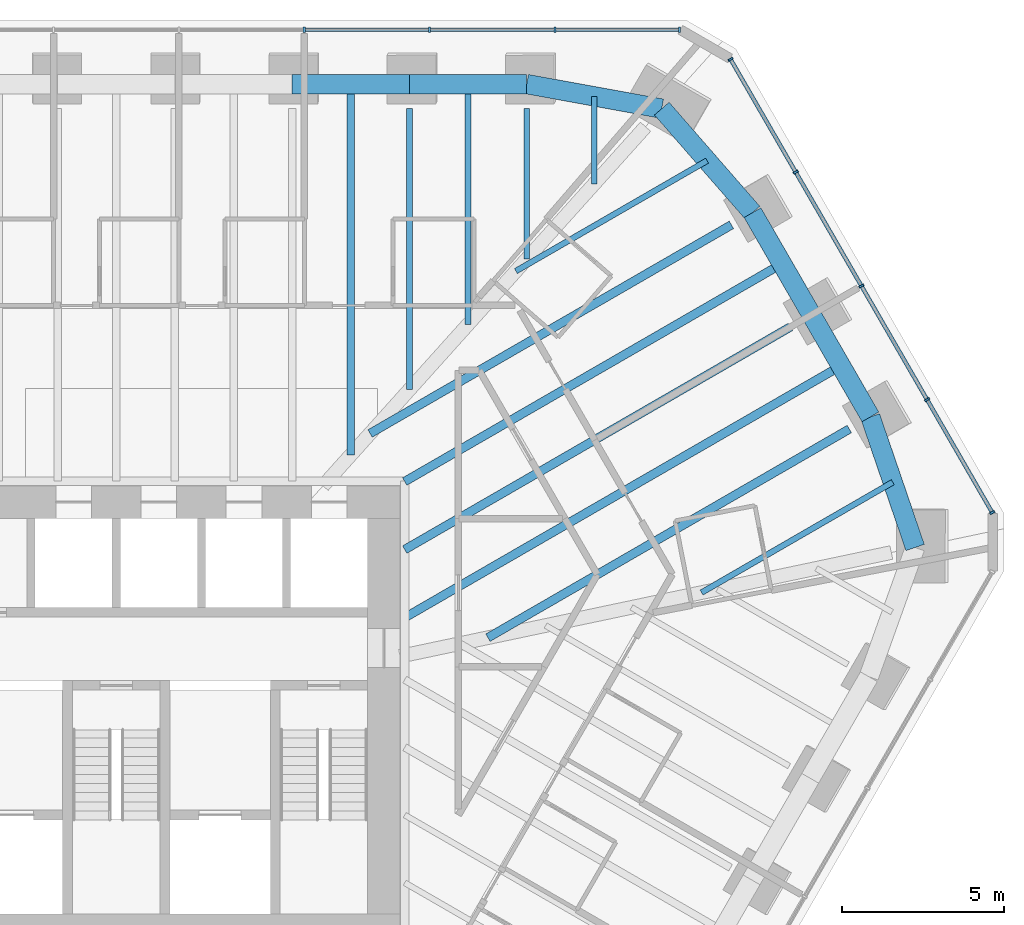
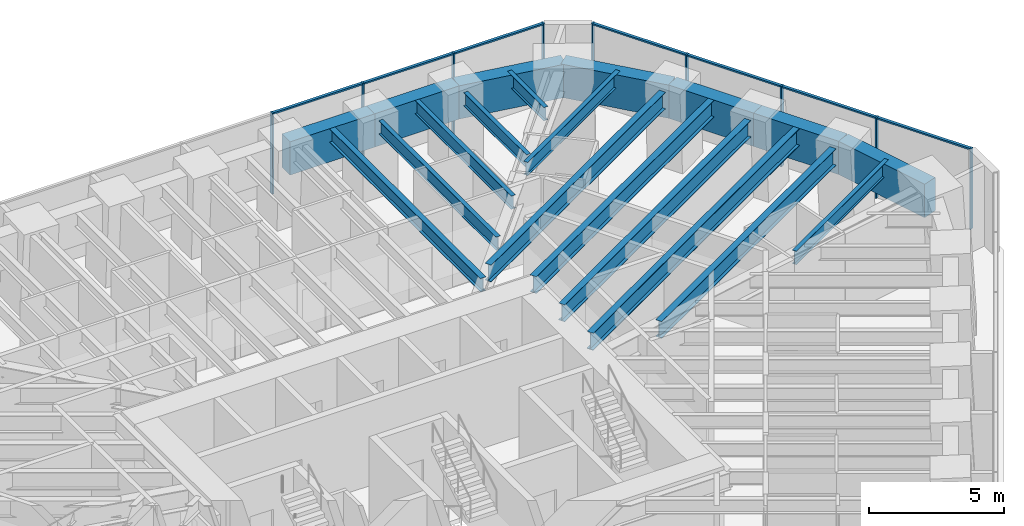
# One storey, part 9 of 17: 19 beams, 16 members, 2 elements without a shape of their own.
"""IFC4 building model written with IfcOpenShell, lengths in metres."""

from ifc_helpers import new_model, si_unit, direction, frame, origin, origin_2d, place, context, subcontext, project, spatial, rectangle, i_section, extrude, material, material_profile, profile_set, type_object, element, aggregate, save


model = new_model("IFC4")

# Units and contexts
model_context = context("Model", 3, precision=1e-05, world=origin(), true_north=direction((0.0, 1.0)))
body_context = subcontext(model_context, "Body", "Model", "MODEL_VIEW")
ifc_project = project(units=[si_unit("LENGTHUNIT", "METRE"), si_unit("AREAUNIT", "SQUARE_METRE"), si_unit("VOLUMEUNIT", "CUBIC_METRE"), si_unit("PLANEANGLEUNIT", "RADIAN"), si_unit("MASSUNIT", "GRAM", prefix="KILO")], contexts=[model_context])

# Site, building, storey
site_placement = place(None, origin())
site = spatial("IfcSite", under=ifc_project, at=site_placement, CompositionType="ELEMENT")
building_placement = place(site_placement, origin())
building = spatial("IfcBuilding", under=site, at=building_placement, Name="Sandreach Pilgrim Tower", CompositionType="ELEMENT")
storey_placement = place(building_placement, frame((0.0, 0.0, 236.39990234375)))
storey = spatial("IfcBuildingStorey", under=building, at=storey_placement, Name="L59", CompositionType="ELEMENT", Elevation=236.39990234375)

# Curtain wall, members
ifc_material_1 = material(Name="Aluminium framed curtain wall", Category="aluminium")
curtain_wall_type = type_object("IfcCurtainWallType", Name="Upper hotel tower curtain wall", PredefinedType="NOTDEFINED", material=ifc_material_1)
curtain_wall_1_placement = place(storey_placement, origin())
curtain_wall_1 = element("IfcCurtainWall", 1, at=curtain_wall_1_placement, inside=storey, type_object=curtain_wall_type, Name="CW-3 L59 N", PredefinedType="NOTDEFINED")
ifc_material_2 = material(Name="Aluminium extrusion", Category="aluminium")
ifc_material_profile_1 = material_profile(ifc_material_2, rectangle(XDim=0.06494140625, YDim=0.159912109375, at=origin_2d()), Name="CW-3M 65X160")
ifc_profile_set_1 = profile_set([ifc_material_profile_1], Name="Aluminium extrusion")
member_type_1 = type_object("IfcMemberType", Name="CW-3 mullion", PredefinedType="MULLION", material=ifc_profile_set_1)
member_1_placement = place(storey_placement, frame((5.796630859375, 21.16015625, 0.0), z_axis=(0.0, 0.0, 1.0), x_axis=(1.0, 0.0, 0.0)))
member_1 = element("IfcMember", 2, at=member_1_placement, type_object=member_type_1, Name="CW-3 mullion 7", PredefinedType="MULLION", context=body_context, shape_type="SweptSolid", body=[
    extrude(rectangle(XDim=0.06494140625, YDim=0.159912109375, at=origin_2d()), origin(), (0.0, 0.0, 1.0), 3.64013671875),
])
member_2_placement = place(storey_placement, frame((9.6611328125, 21.16015625, 0.0), z_axis=(0.0, 0.0, 1.0), x_axis=(1.0, 0.0, 0.0)))
member_2 = element("IfcMember", 3, at=member_2_placement, type_object=member_type_1, Name="CW-3 mullion 8", PredefinedType="MULLION", context=body_context, shape_type="SweptSolid", body=[
    extrude(rectangle(XDim=0.06494140625, YDim=0.159912109375, at=origin_2d()), origin(), (0.0, 0.0, 1.0), 3.64013671875),
])
member_3_placement = place(storey_placement, frame((13.525390625, 21.16015625, 0.0), z_axis=(0.0, 0.0, 1.0), x_axis=(1.0, 0.0, 0.0)))
member_3 = element("IfcMember", 4, at=member_3_placement, type_object=member_type_1, Name="CW-3 mullion 9", PredefinedType="MULLION", context=body_context, shape_type="SweptSolid", body=[
    extrude(rectangle(XDim=0.06494140625, YDim=0.159912109375, at=origin_2d()), origin(), (0.0, 0.0, 1.0), 3.64013671875),
])
member_4_placement = place(storey_placement, frame((17.357421875, 21.16015625, 0.0), z_axis=(0.0, 0.0, 1.0), x_axis=(1.0, 0.0, 0.0)))
member_4 = element("IfcMember", 5, at=member_4_placement, type_object=member_type_1, Name="CW-3 mullion 10", PredefinedType="MULLION", context=body_context, shape_type="SweptSolid", body=[
    extrude(rectangle(XDim=0.06494140625, YDim=0.159912109375, at=origin_2d()), origin(), (0.0, 0.0, 1.0), 3.64013671875),
])

curtain_wall_2_placement = place(storey_placement, origin())
curtain_wall_2 = element("IfcCurtainWall", 6, at=curtain_wall_2_placement, inside=storey, type_object=curtain_wall_type, Name="CW-3 L59 NE", PredefinedType="NOTDEFINED")
member_5_placement = place(storey_placement, frame((18.93896484375, 20.2470703125, 0.0), z_axis=(0.0, 0.0, 1.0), x_axis=(0.5, -0.866025403784, 0.0)))
member_5 = element("IfcMember", 7, at=member_5_placement, type_object=member_type_1, Name="CW-3 mullion 1", PredefinedType="MULLION", context=body_context, shape_type="SweptSolid", body=[
    extrude(rectangle(XDim=0.06494140625, YDim=0.159912109375, at=origin_2d()), origin(), (0.0, 0.0, 1.0), 3.64013671875),
])
member_6_placement = place(storey_placement, frame((20.947021484375, 16.768798828125, 0.0), z_axis=(0.0, 0.0, 1.0), x_axis=(0.5, -0.866025403784, 0.0)))
member_6 = element("IfcMember", 8, at=member_6_placement, type_object=member_type_1, Name="CW-3 mullion 2", PredefinedType="MULLION", context=body_context, shape_type="SweptSolid", body=[
    extrude(rectangle(XDim=0.06494140625, YDim=0.159912109375, at=origin_2d()), origin(), (0.0, 0.0, 1.0), 3.64013671875),
])
member_7_placement = place(storey_placement, frame((22.971435546875, 13.262451171875, 0.0), z_axis=(0.0, 0.0, 1.0), x_axis=(0.5, -0.866025403784, 0.0)))
member_7 = element("IfcMember", 9, at=member_7_placement, type_object=member_type_1, Name="CW-3 mullion 3", PredefinedType="MULLION", context=body_context, shape_type="SweptSolid", body=[
    extrude(rectangle(XDim=0.06494140625, YDim=0.159912109375, at=origin_2d()), origin(), (0.0, 0.0, 1.0), 3.64013671875),
])
member_8_placement = place(storey_placement, frame((24.995849609375, 9.75634765625, 0.0), z_axis=(0.0, 0.0, 1.0), x_axis=(0.5, -0.866025403784, 0.0)))
member_8 = element("IfcMember", 10, at=member_8_placement, type_object=member_type_1, Name="CW-3 mullion 4", PredefinedType="MULLION", context=body_context, shape_type="SweptSolid", body=[
    extrude(rectangle(XDim=0.06494140625, YDim=0.159912109375, at=origin_2d()), origin(), (0.0, 0.0, 1.0), 3.64013671875),
])
member_9_placement = place(storey_placement, frame((27.00390625, 6.278076171875, 0.0), z_axis=(0.0, 0.0, 1.0), x_axis=(0.5, -0.866025403784, 0.0)))
member_9 = element("IfcMember", 11, at=member_9_placement, type_object=member_type_1, Name="CW-3 mullion 5", PredefinedType="MULLION", context=body_context, shape_type="SweptSolid", body=[
    extrude(rectangle(XDim=0.06494140625, YDim=0.159912109375, at=origin_2d()), origin(), (0.0, 0.0, 1.0), 3.64013671875),
])

# Member
ifc_material_3 = material(Name="Aluminium extrusion", Category="aluminium")
ifc_material_profile_2 = material_profile(ifc_material_3, rectangle(XDim=0.1201171875, YDim=0.070068359375, at=origin_2d()), Name="CW-3T 120X70")
ifc_profile_set_2 = profile_set([ifc_material_profile_2], Name="Aluminium extrusion")
member_type_2 = type_object("IfcMemberType", Name="CW-3 transom", PredefinedType="USERDEFINED", material=ifc_profile_set_2)
member_10_placement = place(storey_placement, frame((5.8291015625, 21.16015625, 3.60498046875), z_axis=(1.0, 0.0, 0.0), x_axis=(0.0, 1.0, 0.0)))
member_10 = element("IfcMember", 12, at=member_10_placement, type_object=member_type_2, Name="CW-3 head transom 7", ObjectType="TRANSOM", PredefinedType="USERDEFINED", context=body_context, shape_type="SweptSolid", body=[
    extrude(rectangle(XDim=0.1201171875, YDim=0.070068359375, at=origin_2d()), origin(), (0.0, 0.0, 1.0), 3.799560546875),
])

member_11_placement = place(storey_placement, frame((9.693603515625, 21.16015625, 3.60498046875), z_axis=(1.0, 0.0, 0.0), x_axis=(0.0, 1.0, 0.0)))
member_11 = element("IfcMember", 13, at=member_11_placement, type_object=member_type_2, Name="CW-3 head transom 8", ObjectType="TRANSOM", PredefinedType="USERDEFINED", context=body_context, shape_type="SweptSolid", body=[
    extrude(rectangle(XDim=0.1201171875, YDim=0.070068359375, at=origin_2d()), origin(), (0.0, 0.0, 1.0), 3.79931640625),
])

member_12_placement = place(storey_placement, frame((13.557861328125, 21.16015625, 3.60498046875), z_axis=(1.0, 0.0, 0.0), x_axis=(0.0, 1.0, 0.0)))
member_12 = element("IfcMember", 14, at=member_12_placement, type_object=member_type_2, Name="CW-3 head transom 9", ObjectType="TRANSOM", PredefinedType="USERDEFINED", context=body_context, shape_type="SweptSolid", body=[
    extrude(rectangle(XDim=0.1201171875, YDim=0.070068359375, at=origin_2d()), origin(), (0.0, 0.0, 1.0), 3.76708984375),
])

aggregate(curtain_wall_1, [member_1, member_2, member_3, member_4, member_10, member_11, member_12])

member_13_placement = place(storey_placement, frame((18.955322265625, 20.21875, 3.60498046875), z_axis=(0.499993448556, -0.866029186229, 0.0), x_axis=(0.866029186229, 0.499993448556, 0.0)))
member_13 = element("IfcMember", 15, at=member_13_placement, type_object=member_type_2, Name="CW-3 head transom 1", ObjectType="TRANSOM", PredefinedType="USERDEFINED", context=body_context, shape_type="SweptSolid", body=[
    extrude(rectangle(XDim=0.1201171875, YDim=0.070068359375, at=origin_2d()), origin(), (0.0, 0.0, 1.0), 3.951171875),
])

member_14_placement = place(storey_placement, frame((20.96337890625, 16.74072265625, 3.60498046875), z_axis=(0.499975332564, -0.866039645067, 0.0), x_axis=(0.866039645067, 0.499975332564, 0.0)))
member_14 = element("IfcMember", 16, at=member_14_placement, type_object=member_type_2, Name="CW-3 head transom 2", ObjectType="TRANSOM", PredefinedType="USERDEFINED", context=body_context, shape_type="SweptSolid", body=[
    extrude(rectangle(XDim=0.1201171875, YDim=0.070068359375, at=origin_2d()), origin(), (0.0, 0.0, 1.0), 3.983642578125),
])

member_15_placement = place(storey_placement, frame((22.98779296875, 13.234375, 3.60498046875), z_axis=(0.499975332564, -0.866039645067, 0.0), x_axis=(0.866039645067, 0.499975332564, 0.0)))
member_15 = element("IfcMember", 17, at=member_15_placement, type_object=member_type_2, Name="CW-3 head transom 3", ObjectType="TRANSOM", PredefinedType="USERDEFINED", context=body_context, shape_type="SweptSolid", body=[
    extrude(rectangle(XDim=0.1201171875, YDim=0.070068359375, at=origin_2d()), origin(), (0.0, 0.0, 1.0), 3.983642578125),
])

member_16_placement = place(storey_placement, frame((25.011962890625, 9.728271484375, 3.60498046875), z_axis=(0.499993448556, -0.866029186229, 0.0), x_axis=(0.866029186229, 0.499993448556, 0.0)))
member_16 = element("IfcMember", 18, at=member_16_placement, type_object=member_type_2, Name="CW-3 head transom 4", ObjectType="TRANSOM", PredefinedType="USERDEFINED", context=body_context, shape_type="SweptSolid", body=[
    extrude(rectangle(XDim=0.1201171875, YDim=0.070068359375, at=origin_2d()), origin(), (0.0, 0.0, 1.0), 3.951171875),
])

aggregate(curtain_wall_2, [member_5, member_6, member_7, member_8, member_9, member_13, member_14, member_15, member_16])

# Beams
ifc_material_4 = material(Name="Steel ASTM A992 Grade 50", Category="steel")
ifc_material_profile_3 = material_profile(ifc_material_4, i_section(OverallWidth=0.1787109375, OverallDepth=0.60205078125, WebThickness=0.010986328125, FlangeThickness=0.014892578125, at=origin_2d()), Name="W24X62")
ifc_profile_set_3 = profile_set([ifc_material_profile_3], Name="Steel ASTM A992 Grade 50")
beam_type_1 = type_object("IfcBeamType", Name="Floor beam W24X62", PredefinedType="BEAM", material=ifc_profile_set_3)
beam_1_placement = place(storey_placement, frame((9.03857421875, 18.734619140625, 3.339111328125), z_axis=(0.0, -1.0, 0.0), x_axis=(1.0, 0.0, 0.0)))
element("IfcBeam", 19, at=beam_1_placement, inside=storey, type_object=beam_type_1, Name="BM L59 F07", PredefinedType="BEAM", context=body_context, shape_type="SweptSolid", body=[
    extrude(i_section(OverallWidth=0.1787109375, OverallDepth=0.60205078125, WebThickness=0.010986328125, FlangeThickness=0.014892578125, at=origin_2d()), origin(), (0.0, 0.0, 1.0), 8.668701171875),
])
beam_2_placement = place(storey_placement, frame((12.654052734375, 18.734619140625, 3.339111328125), z_axis=(0.0, -1.0, 0.0), x_axis=(1.0, 0.0, 0.0)))
element("IfcBeam", 20, at=beam_2_placement, inside=storey, type_object=beam_type_1, Name="BM L59 F08", PredefinedType="BEAM", context=body_context, shape_type="SweptSolid", body=[
    extrude(i_section(OverallWidth=0.1787109375, OverallDepth=0.60205078125, WebThickness=0.010986328125, FlangeThickness=0.014892578125, at=origin_2d()), origin(), (0.0, 0.0, 1.0), 4.642333984375),
])
beam_3_placement = place(storey_placement, frame((10.84619140625, 19.484619140625, 3.339111328125), z_axis=(0.0, -1.0, 0.0), x_axis=(1.0, 0.0, 0.0)))
element("IfcBeam", 21, at=beam_3_placement, inside=storey, type_object=beam_type_1, Name="BM L59 FM07", PredefinedType="BEAM", context=body_context, shape_type="SweptSolid", body=[
    extrude(i_section(OverallWidth=0.1787109375, OverallDepth=0.60205078125, WebThickness=0.010986328125, FlangeThickness=0.014892578125, at=origin_2d()), origin(), (0.0, 0.0, 1.0), 7.405517578125),
])
beam_4_placement = place(storey_placement, frame((14.735107421875, 19.106201171875, 3.339111328125), z_axis=(0.0, -1.0, 0.0), x_axis=(1.0, 0.0, 0.0)))
element("IfcBeam", 22, at=beam_4_placement, inside=storey, type_object=beam_type_1, Name="BM L59 FM08", PredefinedType="BEAM", context=body_context, shape_type="SweptSolid", body=[
    extrude(i_section(OverallWidth=0.1787109375, OverallDepth=0.60205078125, WebThickness=0.010986328125, FlangeThickness=0.014892578125, at=origin_2d()), origin(), (0.0, 0.0, 1.0), 2.6962890625),
])
for number, where, z_axis, x_axis, name in (
    (23, (18.21484375, 17.1240234375, 3.339111328125), (-0.866018335219, -0.500012242915, 0.0), (0.500012242915, -0.866018335219, 0.0), "BM L59 FM09"),
    (24, (23.937255859375, 7.212646484375, 3.339111328125), (-0.866018335219, -0.500012242915, 0.0), (0.500012242915, -0.866018335219, 0.0), "BM L59 FM12"),
):
    element("IfcBeam", number, at=place(storey_placement, frame(where, z_axis=z_axis, x_axis=x_axis)), inside=storey, type_object=beam_type_1, Name=name, PredefinedType="BEAM", context=body_context, shape_type="SweptSolid", body=[
        extrude(i_section(OverallWidth=0.1787109375, OverallDepth=0.60205078125, WebThickness=0.010986328125, FlangeThickness=0.014892578125, at=origin_2d()), origin(), (0.0, 0.0, 1.0), 6.806396484375),
    ])
ifc_material_5 = material(Name="Steel ASTM A992 Grade 50", Category="steel")
ifc_material_profile_4 = material_profile(ifc_material_5, i_section(OverallWidth=0.23046875, OverallDepth=0.6171875, WebThickness=0.01318359375, FlangeThickness=0.022216796875, at=origin_2d()), Name="W24X94")
ifc_profile_set_4 = profile_set([ifc_material_profile_4], Name="Steel ASTM A992 Grade 50")
beam_type_2 = type_object("IfcBeamType", Name="Floor beam W24X94", PredefinedType="BEAM", material=ifc_profile_set_4)
beam_5_placement = place(storey_placement, frame((7.230712890625, 19.484619140625, 3.33154296875), z_axis=(0.0, -1.0, 0.0), x_axis=(1.0, 0.0, 0.0)))
element("IfcBeam", 25, at=beam_5_placement, inside=storey, type_object=beam_type_2, Name="BM L59 FM06", PredefinedType="BEAM", context=body_context, shape_type="SweptSolid", body=[
    extrude(i_section(OverallWidth=0.23046875, OverallDepth=0.6171875, WebThickness=0.01318359375, FlangeThickness=0.022216796875, at=origin_2d()), origin(), (0.0, 0.0, 1.0), 11.431884765625),
])
ifc_material_6 = material(Name="Steel ASTM A992 Grade 50", Category="steel")
ifc_material_profile_5 = material_profile(ifc_material_6, i_section(OverallWidth=0.2666015625, OverallDepth=0.761962890625, WebThickness=0.014404296875, FlangeThickness=0.021484375, at=origin_2d()), Name="W30X116")
ifc_profile_set_5 = profile_set([ifc_material_profile_5], Name="Steel ASTM A992 Grade 50")
beam_type_3 = type_object("IfcBeamType", Name="Floor beam W30X116", PredefinedType="BEAM", material=ifc_profile_set_5)
beam_6_placement = place(storey_placement, frame((18.9638671875, 15.145263671875, 3.259033203125), z_axis=(-0.866023437285, -0.500003406062, 0.0), x_axis=(0.500003406062, -0.866023437285, 0.0)))
element("IfcBeam", 26, at=beam_6_placement, inside=storey, type_object=beam_type_3, Name="BM L59 F10", PredefinedType="BEAM", context=body_context, shape_type="SweptSolid", body=[
    extrude(i_section(OverallWidth=0.2666015625, OverallDepth=0.761962890625, WebThickness=0.014404296875, FlangeThickness=0.021484375, at=origin_2d()), origin(), (0.0, 0.0, 1.0), 12.86279296875),
])
beam_7_placement = place(storey_placement, frame((20.781005859375, 11.998046875, 3.259033203125), z_axis=(-0.866020315465, -0.500008813125, 0.0), x_axis=(0.500008813125, -0.866020315465, 0.0)))
element("IfcBeam", 27, at=beam_7_placement, inside=storey, type_object=beam_type_3, Name="BM L59 F11", PredefinedType="BEAM", context=body_context, shape_type="SweptSolid", body=[
    extrude(i_section(OverallWidth=0.2666015625, OverallDepth=0.761962890625, WebThickness=0.014404296875, FlangeThickness=0.021484375, at=origin_2d()), origin(), (0.0, 0.0, 1.0), 13.726806640625),
])
beam_8_placement = place(storey_placement, frame((22.59814453125, 8.8505859375, 3.259033203125), z_axis=(-0.866023437285, -0.500003406062, 0.0), x_axis=(0.500003406062, -0.866023437285, 0.0)))
element("IfcBeam", 28, at=beam_8_placement, inside=storey, type_object=beam_type_3, Name="BM L59 F12", PredefinedType="BEAM", context=body_context, shape_type="SweptSolid", body=[
    extrude(i_section(OverallWidth=0.2666015625, OverallDepth=0.761962890625, WebThickness=0.014404296875, FlangeThickness=0.021484375, at=origin_2d()), origin(), (0.0, 0.0, 1.0), 12.86279296875),
])
beam_9_placement = place(storey_placement, frame((20.52197265625, 13.946533203125, 3.259033203125), z_axis=(-0.866023598276, -0.500003127219, 0.0), x_axis=(0.500003127219, -0.866023598276, 0.0)))
element("IfcBeam", 29, at=beam_9_placement, inside=storey, type_object=beam_type_3, Name="BM L59 FM10", PredefinedType="BEAM", context=body_context, shape_type="SweptSolid", body=[
    extrude(i_section(OverallWidth=0.2666015625, OverallDepth=0.761962890625, WebThickness=0.014404296875, FlangeThickness=0.021484375, at=origin_2d()), origin(), (0.0, 0.0, 1.0), 13.427734375),
])
ifc_material_7 = material(Name="Steel ASTM A992 Grade 50", Category="steel")
ifc_material_profile_6 = material_profile(ifc_material_7, i_section(OverallWidth=0.2666015625, OverallDepth=0.77978515625, WebThickness=0.0166015625, FlangeThickness=0.030029296875, at=origin_2d()), Name="W30X148")
ifc_profile_set_6 = profile_set([ifc_material_profile_6], Name="Steel ASTM A992 Grade 50")
beam_type_4 = type_object("IfcBeamType", Name="Floor beam W30X148", PredefinedType="BEAM", material=ifc_profile_set_6)
beam_10_placement = place(storey_placement, frame((22.339111328125, 10.79931640625, 3.250244140625), z_axis=(-0.866025327015, -0.500000132968, 0.0), x_axis=(0.500000132968, -0.866025327015, 0.0)))
element("IfcBeam", 30, at=beam_10_placement, inside=storey, type_object=beam_type_4, Name="BM L59 FM11", PredefinedType="BEAM", context=body_context, shape_type="SweptSolid", body=[
    extrude(i_section(OverallWidth=0.2666015625, OverallDepth=0.77978515625, WebThickness=0.0166015625, FlangeThickness=0.030029296875, at=origin_2d()), origin(), (0.0, 0.0, 1.0), 15.52587890625),
])
ifc_material_8 = material(Name="Concrete 10000 psi", Category="concrete")
ifc_material_profile_7 = material_profile(ifc_material_8, rectangle(XDim=0.60009765625, YDim=1.5, at=origin_2d()), Name="RC600X1500")
ifc_profile_set_7 = profile_set([ifc_material_profile_7], Name="Concrete 10000 psi")
beam_type_5 = type_object("IfcBeamType", Name="Spandrel beam RC600X1500", PredefinedType="SPANDREL", material=ifc_profile_set_7)
for number, where, z_axis, x_axis, name in (
    (31, (5.423095703125, 19.484619140625, 2.89013671875), (1.0, 0.0, 0.0), (0.0, 1.0, 0.0), "BM L59 SP06"),
    (32, (9.03857421875, 19.484619140625, 2.89013671875), (1.0, 0.0, 0.0), (0.0, 1.0, 0.0), "BM L59 SP07"),
):
    element("IfcBeam", number, at=place(storey_placement, frame(where, z_axis=z_axis, x_axis=x_axis)), inside=storey, type_object=beam_type_5, Name=name, PredefinedType="SPANDREL", context=body_context, shape_type="SweptSolid", body=[
        extrude(rectangle(XDim=0.60009765625, YDim=1.5, at=origin_2d()), origin(), (0.0, 0.0, 1.0), 3.615478515625),
    ])
beam_11_placement = place(storey_placement, frame((12.654052734375, 19.484619140625, 2.89013671875), z_axis=(0.983868063383, -0.178895594844, 0.0), x_axis=(0.178895594844, 0.983868063383, 0.0)))
element("IfcBeam", 33, at=beam_11_placement, inside=storey, type_object=beam_type_5, Name="BM L59 SP08", PredefinedType="SPANDREL", context=body_context, shape_type="SweptSolid", body=[
    extrude(rectangle(XDim=0.60009765625, YDim=1.5, at=origin_2d()), origin(), (0.0, 0.0, 1.0), 4.230712890625),
])
beam_12_placement = place(storey_placement, frame((16.81640625, 18.727783203125, 2.89013671875), z_axis=(0.657244675746, -0.753677275897, 0.0), x_axis=(0.753677275897, 0.657244675746, 0.0)))
element("IfcBeam", 34, at=beam_12_placement, inside=storey, type_object=beam_type_5, Name="BM L59 SP09", PredefinedType="SPANDREL", context=body_context, shape_type="SweptSolid", body=[
    extrude(rectangle(XDim=0.60009765625, YDim=1.5, at=origin_2d()), origin(), (0.0, 0.0, 1.0), 4.255859375),
])
beam_13_placement = place(storey_placement, frame((19.613525390625, 15.520263671875, 2.89013671875), z_axis=(0.500019029215, -0.866014416983, 0.0), x_axis=(0.866014416983, 0.500019029215, 0.0)))
element("IfcBeam", 35, at=beam_13_placement, inside=storey, type_object=beam_type_5, Name="BM L59 SP10", PredefinedType="SPANDREL", context=body_context, shape_type="SweptSolid", body=[
    extrude(rectangle(XDim=0.60009765625, YDim=1.5, at=origin_2d()), origin(), (0.0, 0.0, 1.0), 3.634033203125),
])
beam_14_placement = place(storey_placement, frame((21.4306640625, 12.373046875, 2.89013671875), z_axis=(0.499939555083, -0.866060298861, 0.0), x_axis=(0.866060298861, 0.499939555083, 0.0)))
element("IfcBeam", 36, at=beam_14_placement, inside=storey, type_object=beam_type_5, Name="BM L59 SP11", PredefinedType="SPANDREL", context=body_context, shape_type="SweptSolid", body=[
    extrude(rectangle(XDim=0.60009765625, YDim=1.5, at=origin_2d()), origin(), (0.0, 0.0, 1.0), 3.63427734375),
])
beam_15_placement = place(storey_placement, frame((23.24755859375, 9.2255859375, 2.89013671875), z_axis=(0.324064716088, -0.946034914676, 0.0), x_axis=(0.946034914676, 0.324064716088, 0.0)))
element("IfcBeam", 37, at=beam_15_placement, inside=storey, type_object=beam_type_5, Name="BM L59 SP12", PredefinedType="SPANDREL", context=body_context, shape_type="SweptSolid", body=[
    extrude(rectangle(XDim=0.60009765625, YDim=1.5, at=origin_2d()), origin(), (0.0, 0.0, 1.0), 4.255859375),
])

save(model, "model.ifc")
